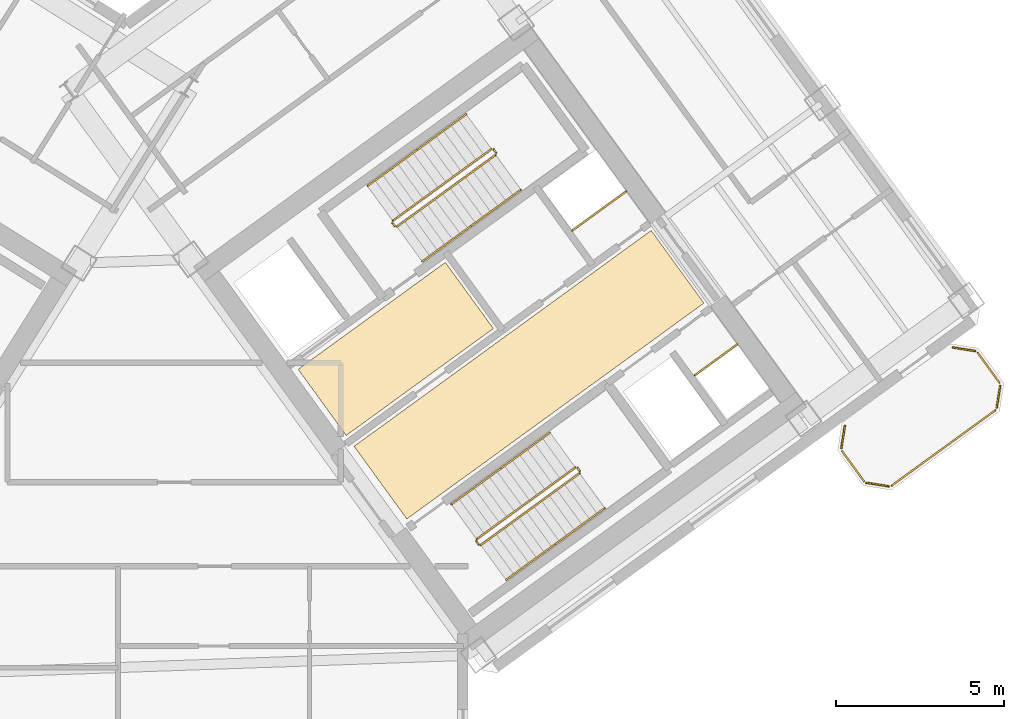
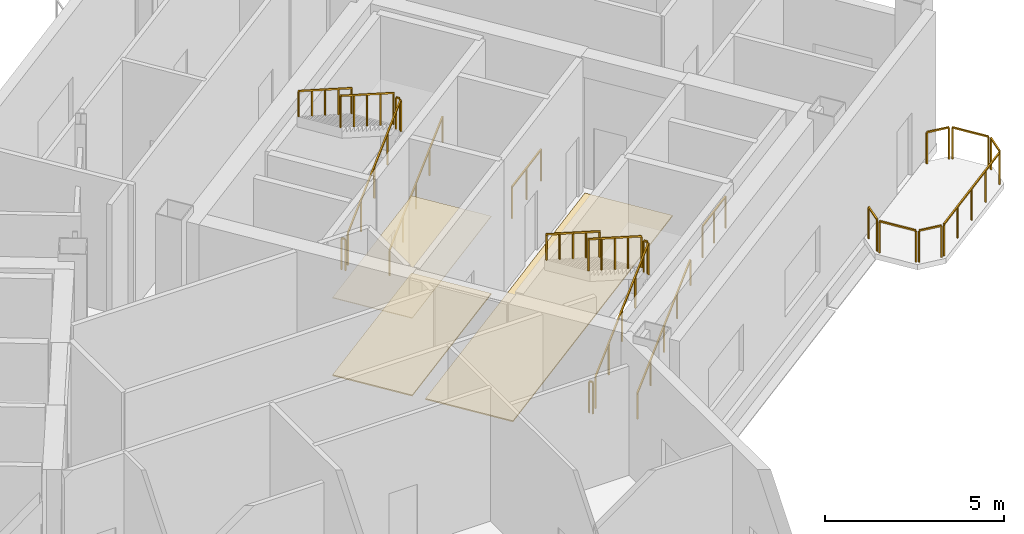
# One storey, part 20 of 21: 25 railings, 3 coverings.
"""IFC4 building model written with IfcOpenShell, lengths in metres."""

from ifc_helpers import new_model, si_unit, direction, frame, origin, origin_2d, place, context, subcontext, project, spatial, polyline, rectangle, outline, extrude, source, transform, mapped, material, layer, layer_set, type_object, element, save


model = new_model("IFC4")

# Units and contexts
model_context = context("Model", 3, precision=1e-05, world=origin(), true_north=direction((0.0, 1.0)))
body_context = subcontext(model_context, "Body", "Model", "MODEL_VIEW")
ifc_project = project(units=[si_unit("LENGTHUNIT", "METRE"), si_unit("AREAUNIT", "SQUARE_METRE"), si_unit("VOLUMEUNIT", "CUBIC_METRE"), si_unit("PLANEANGLEUNIT", "RADIAN"), si_unit("MASSUNIT", "GRAM", prefix="KILO")], contexts=[model_context])

# Site, building, storey
site_placement = place(None, origin())
site = spatial("IfcSite", under=ifc_project, at=site_placement, CompositionType="ELEMENT")
building_placement = place(site_placement, origin())
building = spatial("IfcBuilding", under=site, at=building_placement, Name="Tlacorven Tower", CompositionType="ELEMENT")
storey_placement = place(building_placement, frame((0.0, 0.0, 179.39990234375)))
storey = spatial("IfcBuildingStorey", under=building, at=storey_placement, Name="L45", CompositionType="ELEMENT", Elevation=179.39990234375)

# Coverings
ifc_material_1 = material(Name="Acoustic mineral-fibre ceiling")
ifc_layer_1 = layer(ifc_material_1, 0.02490234375)
ifc_layer_set_1 = layer_set([ifc_layer_1], Name="Acoustic mineral-fibre ceiling")
covering_type_1 = type_object("IfcCoveringType", Name="CV-CLG-ACST", PredefinedType="CEILING", material=ifc_layer_set_1)
covering_1_placement = place(storey_placement, frame((0.0, 0.0, 2.650146484375)))
element("IfcCovering", 1, at=covering_1_placement, inside=storey, type_object=covering_type_1, Name="L45 Acoustic Suspended Ceiling 3", PredefinedType="CEILING", context=body_context, shape_type="SweptSolid", body=[
    extrude(outline(polyline([(48.760498046875, 19.326171875), (47.326171875, 21.300048828125), (51.71923828125, 24.49169921875), (53.1533203125, 22.517822265625), (48.760498046875, 19.326171875)])), origin(), (0.0, 0.0, 1.0), 0.02490234375),
])
ifc_material_2 = material(Name="Terrazzo and ceramic flooring")
ifc_layer_2 = layer(ifc_material_2, 0.0400390625)
ifc_layer_set_2 = layer_set([ifc_layer_2], Name="Terrazzo and ceramic flooring")
covering_type_2 = type_object("IfcCoveringType", Name="CV-FLR-TERZ", PredefinedType="FLOORING", material=ifc_layer_set_2)
covering_2_placement = place(storey_placement, origin())
element("IfcCovering", 2, at=covering_2_placement, inside=storey, type_object=covering_type_2, Name="L45 Terrazzo Floor Finish 3", PredefinedType="FLOORING", context=body_context, shape_type="SweptSolid", body=[
    extrude(outline(polyline([(48.760498046875, 19.326171875), (47.326171875, 21.300048828125), (51.71923828125, 24.49169921875), (53.1533203125, 22.517822265625), (48.760498046875, 19.326171875)])), origin(), (0.0, 0.0, 1.0), 0.0400390625),
])
covering_3_placement = place(storey_placement, origin())
element("IfcCovering", 3, at=covering_3_placement, inside=storey, type_object=covering_type_2, Name="L45 Terrazzo Floor Finish 4", PredefinedType="FLOORING", context=body_context, shape_type="SweptSolid", body=[
    extrude(outline(polyline([(50.57080078125, 16.834228515625), (48.99560546875, 19.00244140625), (57.8623046875, 25.444580078125), (59.437744140625, 23.2763671875), (50.57080078125, 16.834228515625)])), origin(), (0.0, 0.0, 1.0), 0.0400390625),
])

# Railings
ifc_material_3 = material(Name="Aluminium and painted steel balustrade", Category="steel")
railing_type_1 = type_object("IfcRailingType", Name="RL-GRD-1100", PredefinedType="GUARDRAIL", material=ifc_material_3)
shared_shape_1 = source(origin(), body_context, "Body", "SweptSolid", [
    extrude(rectangle(XDim=0.048095703125, YDim=0.048095703125, at=origin_2d()), frame((0.0, 0.0, 1.076171875), z_axis=(0.808947177504, 0.587881334972, 0.0), x_axis=(-0.587881334972, 0.808947177504, 0.0)), (0.0, 0.0, 1.0), 2.0),
    extrude(rectangle(XDim=0.0419921875, YDim=0.0419921875, at=origin_2d()), origin(), (0.0, 0.0, 1.0), 1.052001953125),
    extrude(rectangle(XDim=0.0419921875, YDim=0.0419921875, at=origin_2d()), frame((0.80908203125, 0.587890625, 0.0)), (0.0, 0.0, 1.0), 1.052001953125),
    extrude(rectangle(XDim=0.0419921875, YDim=0.0419921875, at=origin_2d()), frame((1.617919921875, 1.17578125, 0.0)), (0.0, 0.0, 1.0), 1.052001953125),
])
railing_1_placement = place(storey_placement, frame((55.506103515625, 25.438232421875, 0.0)))
element("IfcRailing", 4, at=railing_1_placement, inside=storey, type_object=railing_type_1, Name="L45 Electrical Riser E Shaft Guard 1", PredefinedType="GUARDRAIL", context=body_context, shape_type="MappedRepresentation", body=[
    mapped(shared_shape_1, transform((0.0, 0.0, 0.0), scale=1.0)),
])
shared_shape_2 = source(origin(), body_context, "Body", "SweptSolid", [
    extrude(rectangle(XDim=0.048095703125, YDim=0.048095703125, at=origin_2d()), frame((0.0, 0.0, 1.076171875), z_axis=(0.809029975545, 0.58776738483, 0.0), x_axis=(-0.58776738483, 0.809029975545, 0.0)), (0.0, 0.0, 1.0), 1.580078125),
    extrude(rectangle(XDim=0.0419921875, YDim=0.0419921875, at=origin_2d()), origin(), (0.0, 0.0, 1.0), 1.052001953125),
    extrude(rectangle(XDim=0.0419921875, YDim=0.0419921875, at=origin_2d()), frame((0.63916015625, 0.46435546875, 0.0)), (0.0, 0.0, 1.0), 1.052001953125),
    extrude(rectangle(XDim=0.0419921875, YDim=0.0419921875, at=origin_2d()), frame((1.2783203125, 0.9287109375, 0.0)), (0.0, 0.0, 1.0), 1.052001953125),
])
railing_2_placement = place(storey_placement, frame((59.160888671875, 21.122314453125, 0.0)))
element("IfcRailing", 5, at=railing_2_placement, inside=storey, type_object=railing_type_1, Name="L45 Smoke Riser E Shaft Guard 1", PredefinedType="GUARDRAIL", context=body_context, shape_type="MappedRepresentation", body=[
    mapped(shared_shape_2, transform((0.0, 0.0, 0.0), scale=1.0)),
])
railing_type_2 = type_object("IfcRailingType", Name="RL-BAL-1100", PredefinedType="BALUSTRADE", material=ifc_material_3)
shared_shape_3 = source(origin(), body_context, "Body", "SweptSolid", [
    extrude(rectangle(XDim=0.048095703125, YDim=0.048095703125, at=origin_2d()), frame((0.0, 0.0, 1.076171875), z_axis=(0.156602868908, 0.987661653326, 0.0), x_axis=(-0.987661653326, 0.156602868908, 0.0)), (0.0, 0.0, 1.0), 0.665771484375),
    extrude(rectangle(XDim=0.0419921875, YDim=0.0419921875, at=origin_2d()), origin(), (0.0, 0.0, 1.0), 1.052001953125),
    extrude(rectangle(XDim=0.0419921875, YDim=0.0419921875, at=origin_2d()), frame((0.104248046875, 0.657470703125, 0.0)), (0.0, 0.0, 1.0), 1.052001953125),
])
railing_3_placement = place(storey_placement, frame((63.539306640625, 18.949951171875, 0.0)))
element("IfcRailing", 6, at=railing_3_placement, inside=storey, type_object=railing_type_2, Name="BAL-L45-E-OUT Guard Railing 3", PredefinedType="BALUSTRADE", context=body_context, shape_type="MappedRepresentation", body=[
    mapped(shared_shape_3, transform((0.0, 0.0, 0.0), scale=1.0)),
])
shared_shape_4 = source(origin(), body_context, "Body", "SweptSolid", [
    extrude(rectangle(XDim=0.048095703125, YDim=0.048095703125, at=origin_2d()), frame((0.0, 0.0, 1.076171875), z_axis=(0.58788449985, -0.808944877501, 0.0), x_axis=(0.808944877501, 0.58788449985, 0.0)), (0.0, 0.0, 1.0), 1.112060546875),
    extrude(rectangle(XDim=0.0419921875, YDim=0.0419921875, at=origin_2d()), origin(), (0.0, 0.0, 1.0), 1.052001953125),
    extrude(rectangle(XDim=0.0419921875, YDim=0.0419921875, at=origin_2d()), frame((0.65380859375, -0.899658203125, 0.0)), (0.0, 0.0, 1.0), 1.052001953125),
])
railing_4_placement = place(storey_placement, frame((67.60595703125, 21.799072265625, 0.0)))
element("IfcRailing", 7, at=railing_4_placement, inside=storey, type_object=railing_type_2, Name="BAL-L45-E-OUT Guard Railing 5", PredefinedType="BALUSTRADE", context=body_context, shape_type="MappedRepresentation", body=[
    mapped(shared_shape_4, transform((0.0, 0.0, 0.0), scale=1.0)),
])
shared_shape_5 = source(origin(), body_context, "Body", "SweptSolid", [
    extrude(rectangle(XDim=0.048095703125, YDim=0.048095703125, at=origin_2d()), frame((0.0, 0.0, 1.076171875), z_axis=(-0.809018102573, -0.587783726986, 0.0), x_axis=(0.587783726986, -0.809018102573, 0.0)), (0.0, 0.0, 1.0), 3.817138671875),
    extrude(rectangle(XDim=0.0419921875, YDim=0.0419921875, at=origin_2d()), origin(), (0.0, 0.0, 1.0), 1.052001953125),
    extrude(rectangle(XDim=0.0419921875, YDim=0.0419921875, at=origin_2d()), frame((-0.77197265625, -0.56103515625, 0.0)), (0.0, 0.0, 1.0), 1.052001953125),
    extrude(rectangle(XDim=0.0419921875, YDim=0.0419921875, at=origin_2d()), frame((-1.5439453125, -1.121826171875, 0.0)), (0.0, 0.0, 1.0), 1.052001953125),
    extrude(rectangle(XDim=0.0419921875, YDim=0.0419921875, at=origin_2d()), frame((-2.316162109375, -1.6826171875, 0.0)), (0.0, 0.0, 1.0), 1.052001953125),
    extrude(rectangle(XDim=0.0419921875, YDim=0.0419921875, at=origin_2d()), frame((-3.088134765625, -2.24365234375, 0.0)), (0.0, 0.0, 1.0), 1.052001953125),
])
railing_5_placement = place(storey_placement, frame((68.12890625, 20.0732421875, 0.0)))
element("IfcRailing", 8, at=railing_5_placement, inside=storey, type_object=railing_type_2, Name="BAL-L45-E-OUT Guard Railing 7", PredefinedType="BALUSTRADE", context=body_context, shape_type="MappedRepresentation", body=[
    mapped(shared_shape_5, transform((0.0, 0.0, 0.0), scale=1.0)),
])
shared_shape_6 = source(origin(), body_context, "Body", "SweptSolid", [
    extrude(rectangle(XDim=0.048095703125, YDim=0.048095703125, at=origin_2d()), frame((0.0, 0.0, 1.076171875), z_axis=(-0.987718317463, 0.156245081039, 0.0), x_axis=(-0.156245081039, -0.987718317463, 0.0)), (0.0, 0.0, 1.0), 0.66552734375),
    extrude(rectangle(XDim=0.0419921875, YDim=0.0419921875, at=origin_2d()), origin(), (0.0, 0.0, 1.0), 1.052001953125),
    extrude(rectangle(XDim=0.0419921875, YDim=0.0419921875, at=origin_2d()), frame((-0.657470703125, 0.10400390625, 0.0)), (0.0, 0.0, 1.0), 1.052001953125),
])
railing_6_placement = place(storey_placement, frame((64.950927734375, 17.80810546875, 0.0)))
element("IfcRailing", 9, at=railing_6_placement, inside=storey, type_object=railing_type_2, Name="BAL-L45-E-OUT Guard Railing 1", PredefinedType="BALUSTRADE", context=body_context, shape_type="MappedRepresentation", body=[
    mapped(shared_shape_6, transform((0.0, 0.0, 0.0), scale=1.0)),
])
shared_shape_7 = source(origin(), body_context, "Body", "SweptSolid", [
    extrude(rectangle(XDim=0.048095703125, YDim=0.048095703125, at=origin_2d()), frame((0.0, 0.0, 1.076171875), z_axis=(-0.587740817519, 0.809049276263, 0.0), x_axis=(-0.809049276263, -0.587740817519, 0.0)), (0.0, 0.0, 1.0), 1.112060546875),
    extrude(rectangle(XDim=0.0419921875, YDim=0.0419921875, at=origin_2d()), origin(), (0.0, 0.0, 1.0), 1.052001953125),
    extrude(rectangle(XDim=0.0419921875, YDim=0.0419921875, at=origin_2d()), frame((-0.653564453125, 0.899658203125, 0.0)), (0.0, 0.0, 1.0), 1.052001953125),
])
railing_7_placement = place(storey_placement, frame((64.214599609375, 17.96044921875, 0.0)))
element("IfcRailing", 10, at=railing_7_placement, inside=storey, type_object=railing_type_2, Name="BAL-L45-E-OUT Guard Railing 2", PredefinedType="BALUSTRADE", context=body_context, shape_type="MappedRepresentation", body=[
    mapped(shared_shape_7, transform((0.0, 0.0, 0.0), scale=1.0)),
])
shared_shape_8 = source(origin(), body_context, "Body", "SweptSolid", [
    extrude(rectangle(XDim=0.048095703125, YDim=0.048095703125, at=origin_2d()), frame((0.0, 0.0, 1.076171875), z_axis=(-0.156245081039, -0.987718317463, 0.0), x_axis=(0.987718317463, -0.156245081039, 0.0)), (0.0, 0.0, 1.0), 0.66552734375),
    extrude(rectangle(XDim=0.0419921875, YDim=0.0419921875, at=origin_2d()), origin(), (0.0, 0.0, 1.0), 1.052001953125),
    extrude(rectangle(XDim=0.0419921875, YDim=0.0419921875, at=origin_2d()), frame((-0.10400390625, -0.657470703125, 0.0)), (0.0, 0.0, 1.0), 1.052001953125),
])
railing_8_placement = place(storey_placement, frame((68.28125, 20.8095703125, 0.0)))
element("IfcRailing", 11, at=railing_8_placement, inside=storey, type_object=railing_type_2, Name="BAL-L45-E-OUT Guard Railing 6", PredefinedType="BALUSTRADE", context=body_context, shape_type="MappedRepresentation", body=[
    mapped(shared_shape_8, transform((0.0, 0.0, 0.0), scale=1.0)),
])
shared_shape_9 = source(origin(), body_context, "Body", "SweptSolid", [
    extrude(rectangle(XDim=0.048095703125, YDim=0.048095703125, at=origin_2d()), frame((0.0, 0.0, 1.076171875), z_axis=(0.987727266442, -0.156188498702, 0.0), x_axis=(0.156188498702, 0.987727266442, 0.0)), (0.0, 0.0, 1.0), 0.665771484375),
    extrude(rectangle(XDim=0.0419921875, YDim=0.0419921875, at=origin_2d()), origin(), (0.0, 0.0, 1.0), 1.052001953125),
    extrude(rectangle(XDim=0.0419921875, YDim=0.0419921875, at=origin_2d()), frame((0.65771484375, -0.10400390625, 0.0)), (0.0, 0.0, 1.0), 1.052001953125),
])
railing_9_placement = place(storey_placement, frame((66.86962890625, 21.951416015625, 0.0)))
element("IfcRailing", 12, at=railing_9_placement, inside=storey, type_object=railing_type_2, Name="BAL-L45-E-OUT Guard Railing 4", PredefinedType="BALUSTRADE", context=body_context, shape_type="MappedRepresentation", body=[
    mapped(shared_shape_9, transform((0.0, 0.0, 0.0), scale=1.0)),
])
shared_shape_10 = source(origin(), body_context, "Body", "SweptSolid", [
    extrude(rectangle(XDim=0.048095703125, YDim=0.048095703125, at=origin_2d()), frame((0.0, 0.0, 1.076171875), z_axis=(0.689957088216, 0.501292924636, 0.522172979126), x_axis=(-0.587792740661, 0.809011553704, 0.0)), (0.0, 0.0, 1.0), 4.267822265625),
    extrude(rectangle(XDim=0.0419921875, YDim=0.0419921875, at=origin_2d()), origin(), (0.0, 0.0, 1.0), 1.052001953125),
    extrude(rectangle(XDim=0.0419921875, YDim=0.0419921875, at=origin_2d()), frame((0.736083984375, 0.534912109375, 0.55712890625)), (0.0, 0.0, 1.0), 1.052001953125),
    extrude(rectangle(XDim=0.0419921875, YDim=0.0419921875, at=origin_2d()), frame((1.47216796875, 1.06982421875, 1.1142578125)), (0.0, 0.0, 1.0), 1.052001953125),
    extrude(rectangle(XDim=0.0419921875, YDim=0.0419921875, at=origin_2d()), frame((2.20849609375, 1.6044921875, 1.67138671875)), (0.0, 0.0, 1.0), 1.052001953125),
    extrude(rectangle(XDim=0.0419921875, YDim=0.0419921875, at=origin_2d()), frame((2.944580078125, 2.139404296875, 2.228515625)), (0.0, 0.0, 1.0), 1.052001953125),
])
railing_10_placement = place(storey_placement, frame((50.27734375, 25.557861328125, 0.171630859375)))
element("IfcRailing", 13, at=railing_10_placement, inside=storey, type_object=railing_type_1, Name="L45 ST-E1 stair guard 1", PredefinedType="GUARDRAIL", context=body_context, shape_type="MappedRepresentation", body=[
    mapped(shared_shape_10, transform((0.0, 0.0, 0.0), scale=1.0)),
])
shared_shape_11 = source(origin(), body_context, "Body", "SweptSolid", [
    extrude(rectangle(XDim=0.048095703125, YDim=0.048095703125, at=origin_2d()), frame((0.0, 0.0, 1.076171875), z_axis=(-0.587567097037, 0.809175448515, 0.0), x_axis=(-0.809175448515, -0.587567097037, 0.0)), (0.0, 0.0, 1.0), 0.1201171875),
    extrude(rectangle(XDim=0.0419921875, YDim=0.0419921875, at=origin_2d()), origin(), (0.0, 0.0, 1.0), 1.052001953125),
    extrude(rectangle(XDim=0.0419921875, YDim=0.0419921875, at=origin_2d()), frame((-0.070556640625, 0.09716796875, 0.0)), (0.0, 0.0, 1.0), 1.052001953125),
])
for number, where, name in (
    (14, (53.233154296875, 27.76708984375, 2.400146484375), "L45 ST-E1 stair guard 2"),
    (15, (55.737060546875, 18.263916015625, 2.400146484375), "L45 ST-E2 stair guard 2"),
    (16, (52.71142578125, 16.065673828125, 0.0), "L45 ST-E2 stair guard 4"),
):
    element("IfcRailing", number, at=place(storey_placement, frame(where)), inside=storey, type_object=railing_type_1, Name=name, PredefinedType="GUARDRAIL", context=body_context, shape_type="MappedRepresentation", body=[
        mapped(shared_shape_11, transform((0.0, 0.0, 0.0), scale=1.0)),
    ])
shared_shape_12 = source(origin(), body_context, "Body", "SweptSolid", [
    extrude(rectangle(XDim=0.048095703125, YDim=0.048095703125, at=origin_2d()), frame((0.0, 0.0, 1.076171875), z_axis=(-0.689987059858, -0.501273139242, 0.522152369623), x_axis=(0.587760844897, -0.809034726823, 0.0)), (0.0, 0.0, 1.0), 4.267822265625),
    extrude(rectangle(XDim=0.0419921875, YDim=0.0419921875, at=origin_2d()), origin(), (0.0, 0.0, 1.0), 1.052001953125),
    extrude(rectangle(XDim=0.0419921875, YDim=0.0419921875, at=origin_2d()), frame((-0.736328125, -0.534912109375, 0.55712890625)), (0.0, 0.0, 1.0), 1.052001953125),
    extrude(rectangle(XDim=0.0419921875, YDim=0.0419921875, at=origin_2d()), frame((-1.472412109375, -1.06982421875, 1.1142578125)), (0.0, 0.0, 1.0), 1.052001953125),
    extrude(rectangle(XDim=0.0419921875, YDim=0.0419921875, at=origin_2d()), frame((-2.20849609375, -1.6044921875, 1.67138671875)), (0.0, 0.0, 1.0), 1.052001953125),
    extrude(rectangle(XDim=0.0419921875, YDim=0.0419921875, at=origin_2d()), frame((-2.94482421875, -2.139404296875, 2.228515625)), (0.0, 0.0, 1.0), 1.052001953125),
])
for number, where, name in (
    (17, (53.0927734375, 27.875244140625, 2.571533203125), "L45 ST-E1 stair guard 3"),
    (18, (55.5966796875, 18.3720703125, 2.571533203125), "L45 ST-E2 stair guard 3"),
):
    element("IfcRailing", number, at=place(storey_placement, frame(where)), inside=storey, type_object=railing_type_1, Name=name, PredefinedType="GUARDRAIL", context=body_context, shape_type="MappedRepresentation", body=[
        mapped(shared_shape_12, transform((0.0, 0.0, 0.0), scale=1.0)),
    ])
shared_shape_13 = source(origin(), body_context, "Body", "SweptSolid", [
    extrude(rectangle(XDim=0.048095703125, YDim=0.048095703125, at=origin_2d()), frame((0.0, 0.0, 1.076171875), z_axis=(-0.587201422542, 0.809440849824, 0.0), x_axis=(-0.809440849824, -0.587201422542, 0.0)), (0.0, 0.0, 1.0), 0.11962890625),
    extrude(rectangle(XDim=0.0419921875, YDim=0.0419921875, at=origin_2d()), origin(), (0.0, 0.0, 1.0), 1.052001953125),
    extrude(rectangle(XDim=0.0419921875, YDim=0.0419921875, at=origin_2d()), frame((-0.0703125, 0.096923828125, 0.0)), (0.0, 0.0, 1.0), 1.052001953125),
])
railing_11_placement = place(storey_placement, frame((50.207275390625, 25.56884765625, 0.0)))
element("IfcRailing", 19, at=railing_11_placement, inside=storey, type_object=railing_type_1, Name="L45 ST-E1 stair guard 4", PredefinedType="GUARDRAIL", context=body_context, shape_type="MappedRepresentation", body=[
    mapped(shared_shape_13, transform((0.0, 0.0, 0.0), scale=1.0)),
])
railing_type_3 = type_object("IfcRailingType", Name="RL-HND-0900", PredefinedType="HANDRAIL", material=ifc_material_3)
shared_shape_14 = source(origin(), body_context, "Body", "SweptSolid", [
    extrude(rectangle(XDim=0.048095703125, YDim=0.048095703125, at=origin_2d()), frame((0.0, 0.0, 0.8759765625), z_axis=(0.689967274537, 0.501315967008, 0.522137396947), x_axis=(-0.587804744085, 0.8090028324, 0.0)), (0.0, 0.0, 1.0), 2.134033203125),
    extrude(rectangle(XDim=0.0419921875, YDim=0.0419921875, at=origin_2d()), origin(), (0.0, 0.0, 1.0), 0.851806640625),
    extrude(rectangle(XDim=0.0419921875, YDim=0.0419921875, at=origin_2d()), frame((0.736328125, 0.534912109375, 0.55712890625)), (0.0, 0.0, 1.0), 0.851806640625),
    extrude(rectangle(XDim=0.0419921875, YDim=0.0419921875, at=origin_2d()), frame((1.472412109375, 1.06982421875, 1.1142578125)), (0.0, 0.0, 1.0), 0.851806640625),
])
for number, where, name in (
    (20, (51.029541015625, 24.522216796875, 0.171630859375), "L45 ST-E1 stair handrail 1"),
    (21, (53.53369140625, 15.01904296875, 0.171630859375), "L45 ST-E2 stair handrail 1"),
    (22, (55.006103515625, 16.0888671875, 1.285888671875), "L45 ST-E2 stair handrail 2"),
):
    element("IfcRailing", number, at=place(storey_placement, frame(where)), inside=storey, type_object=railing_type_3, Name=name, PredefinedType="HANDRAIL", context=body_context, shape_type="MappedRepresentation", body=[
        mapped(shared_shape_14, transform((0.0, 0.0, 0.0), scale=1.0)),
    ])
shared_shape_15 = source(origin(), body_context, "Body", "SweptSolid", [
    extrude(rectangle(XDim=0.048095703125, YDim=0.048095703125, at=origin_2d()), frame((0.0, 0.0, 0.8759765625), z_axis=(0.690006844623, 0.501230307792, 0.522167341877), x_axis=(-0.587716940517, 0.809066621379, 0.0)), (0.0, 0.0, 1.0), 2.1337890625),
    extrude(rectangle(XDim=0.0419921875, YDim=0.0419921875, at=origin_2d()), origin(), (0.0, 0.0, 1.0), 0.851806640625),
    extrude(rectangle(XDim=0.0419921875, YDim=0.0419921875, at=origin_2d()), frame((0.736328125, 0.53466796875, 0.55712890625)), (0.0, 0.0, 1.0), 0.851806640625),
    extrude(rectangle(XDim=0.0419921875, YDim=0.0419921875, at=origin_2d()), frame((1.472412109375, 1.069580078125, 1.1142578125)), (0.0, 0.0, 1.0), 0.851806640625),
])
railing_12_placement = place(storey_placement, frame((52.501953125, 25.592041015625, 1.285888671875)))
element("IfcRailing", 23, at=railing_12_placement, inside=storey, type_object=railing_type_3, Name="L45 ST-E1 stair handrail 2", PredefinedType="HANDRAIL", context=body_context, shape_type="MappedRepresentation", body=[
    mapped(shared_shape_15, transform((0.0, 0.0, 0.0), scale=1.0)),
])
shared_shape_16 = source(origin(), body_context, "Body", "SweptSolid", [
    extrude(rectangle(XDim=0.048095703125, YDim=0.048095703125, at=origin_2d()), frame((0.0, 0.0, 0.8759765625), z_axis=(-0.689967274537, -0.501315967008, 0.522137396947), x_axis=(0.587804744085, -0.8090028324, 0.0)), (0.0, 0.0, 1.0), 2.134033203125),
    extrude(rectangle(XDim=0.0419921875, YDim=0.0419921875, at=origin_2d()), origin(), (0.0, 0.0, 1.0), 0.851806640625),
    extrude(rectangle(XDim=0.0419921875, YDim=0.0419921875, at=origin_2d()), frame((-0.736328125, -0.534912109375, 0.55712890625)), (0.0, 0.0, 1.0), 0.851806640625),
    extrude(rectangle(XDim=0.0419921875, YDim=0.0419921875, at=origin_2d()), frame((-1.472412109375, -1.06982421875, 1.1142578125)), (0.0, 0.0, 1.0), 0.851806640625),
])
for number, where, name in (
    (24, (52.34033203125, 28.910888671875, 2.571533203125), "L45 ST-E1 stair handrail 3"),
    (25, (50.867919921875, 27.841064453125, 3.685791015625), "L45 ST-E1 stair handrail 4"),
    (26, (54.844482421875, 19.40771484375, 2.571533203125), "L45 ST-E2 stair handrail 3"),
    (27, (53.3720703125, 18.337890625, 3.685791015625), "L45 ST-E2 stair handrail 4"),
):
    element("IfcRailing", number, at=place(storey_placement, frame(where)), inside=storey, type_object=railing_type_3, Name=name, PredefinedType="HANDRAIL", context=body_context, shape_type="MappedRepresentation", body=[
        mapped(shared_shape_16, transform((0.0, 0.0, 0.0), scale=1.0)),
    ])
shared_shape_17 = source(origin(), body_context, "Body", "SweptSolid", [
    extrude(rectangle(XDim=0.048095703125, YDim=0.048095703125, at=origin_2d()), frame((0.0, 0.0, 1.076171875), z_axis=(0.689987059858, 0.501273139242, 0.522152369623), x_axis=(-0.587760844897, 0.809034726823, 0.0)), (0.0, 0.0, 1.0), 4.267822265625),
    extrude(rectangle(XDim=0.0419921875, YDim=0.0419921875, at=origin_2d()), origin(), (0.0, 0.0, 1.0), 1.052001953125),
    extrude(rectangle(XDim=0.0419921875, YDim=0.0419921875, at=origin_2d()), frame((0.736328125, 0.534912109375, 0.55712890625)), (0.0, 0.0, 1.0), 1.052001953125),
    extrude(rectangle(XDim=0.0419921875, YDim=0.0419921875, at=origin_2d()), frame((1.472412109375, 1.06982421875, 1.1142578125)), (0.0, 0.0, 1.0), 1.052001953125),
    extrude(rectangle(XDim=0.0419921875, YDim=0.0419921875, at=origin_2d()), frame((2.20849609375, 1.6044921875, 1.67138671875)), (0.0, 0.0, 1.0), 1.052001953125),
    extrude(rectangle(XDim=0.0419921875, YDim=0.0419921875, at=origin_2d()), frame((2.94482421875, 2.139404296875, 2.228515625)), (0.0, 0.0, 1.0), 1.052001953125),
])
railing_13_placement = place(storey_placement, frame((52.78125, 16.0546875, 0.171630859375)))
element("IfcRailing", 28, at=railing_13_placement, inside=storey, type_object=railing_type_1, Name="L45 ST-E2 stair guard 1", PredefinedType="GUARDRAIL", context=body_context, shape_type="MappedRepresentation", body=[
    mapped(shared_shape_17, transform((0.0, 0.0, 0.0), scale=1.0)),
])

save(model, "model.ifc")
